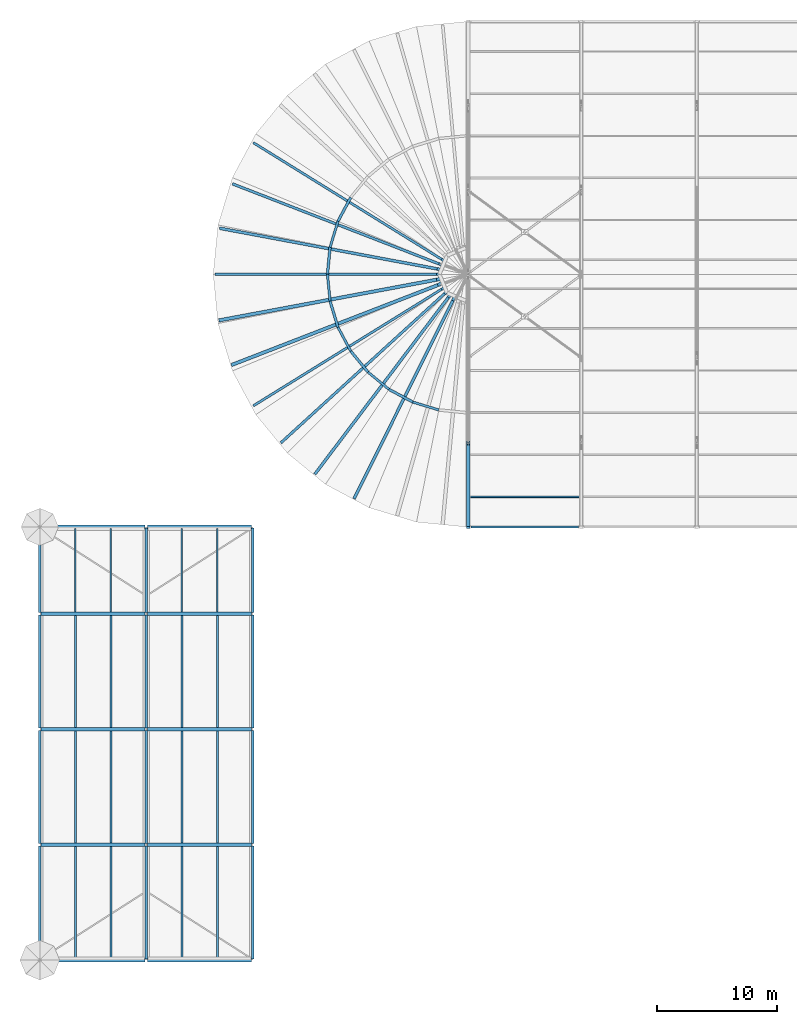
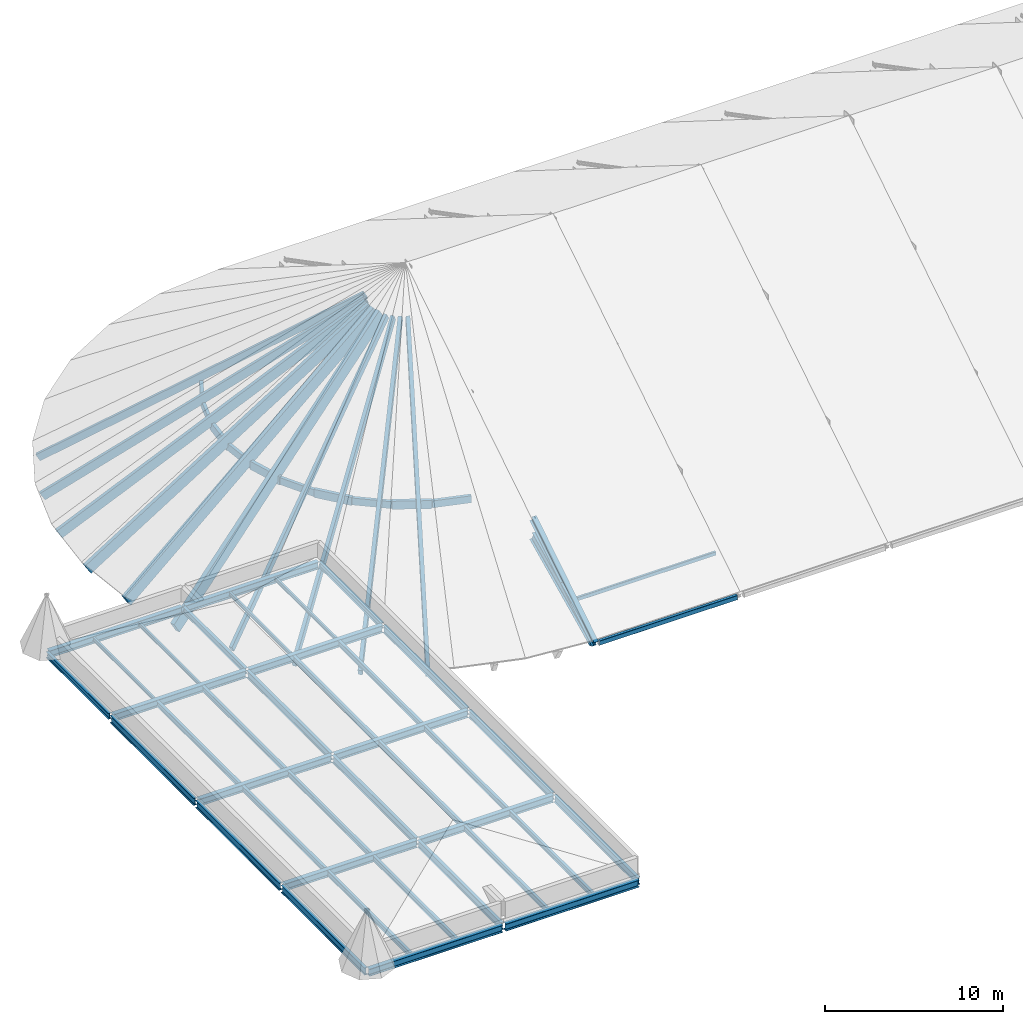
# One storey, part 1 of 66: 50 beams, 12 members.
"""IFC4 building model written with IfcOpenShell, lengths in metres."""

import ifcopenshell
import ifcopenshell.guid

model = None  # the IFC model being written
_history = None  # IfcOwnerHistory: only IFC2X3 demands one
_inside = {}  # id of a spatial element -> (the spatial element, [elements in it])
_under = {}  # id of a project, library or spatial element -> (it, [spatial elements below it])
_declared = {}  # id of a project -> (the project, [libraries it declares])
_typed = {}  # id of a type object -> (the type object, [elements of that type])
_made_of = {}  # id of a material, layer set ... -> (it, [elements and type objects made of it])


def new_model(schema):
    """Start an empty IFC model of exactly this schema.

    Asked for "IFC4X3", IfcOpenShell would pick the latest addendum, in which some entities
    have other attributes; the version numbers below select the first issue.
    IFC2X3 requires an IfcOwnerHistory on every rooted entity: one is made here for all.
    """
    global model, _history
    if schema == "IFC4X3":
        model = ifcopenshell.file(schema_version=(4, 3, 0, 0))
    else:
        model = ifcopenshell.file(schema=schema)
    _inside.clear()
    _under.clear()
    _declared.clear()
    _typed.clear()
    _made_of.clear()
    _history = None
    if model.schema == "IFC2X3":
        org = make("IfcOrganization", Name="unknown")
        user = make(
            "IfcPersonAndOrganization",
            ThePerson=make("IfcPerson", FamilyName="unknown"),
            TheOrganization=org,
        )
        app = make(
            "IfcApplication",
            ApplicationDeveloper=org,
            Version="unknown",
            ApplicationFullName="unknown",
            ApplicationIdentifier="unknown",
        )
        _history = make(
            "IfcOwnerHistory",
            OwningUser=user,
            OwningApplication=app,
            ChangeAction="ADDED",
            CreationDate=0,
        )
    return model


def make(cls, **values):
    """One entity of the class cls with the attributes given. An attribute that is None is left unset."""
    return model.create_entity(
        cls, **{name: value for name, value in values.items() if value is not None}
    )


def rooted(cls, **values):
    """An entity with a GlobalId (a new one), such as an element, a storey or a relation."""
    return make(cls, GlobalId=ifcopenshell.guid.new(), OwnerHistory=_history, **values)


def si_unit(unit_type, name, prefix=None):
    """IfcSIUnit, for example si_unit("LENGTHUNIT", "METRE", prefix="MILLI")."""
    return make("IfcSIUnit", UnitType=unit_type, Prefix=prefix, Name=name)


def assignment(units):
    """IfcUnitAssignment: the units of a project."""
    return None if units is None else make("IfcUnitAssignment", Units=units)


def point(xyz):
    """IfcCartesianPoint."""
    return None if xyz is None else make("IfcCartesianPoint", Coordinates=xyz)


def direction(xyz):
    """IfcDirection."""
    return None if xyz is None else make("IfcDirection", DirectionRatios=xyz)


def frame(location, z_axis=None, x_axis=None):
    """IfcAxis2Placement3D, a coordinate frame: its origin and axes. An axis left out is left unset."""
    return make(
        "IfcAxis2Placement3D",
        Location=point(location),
        Axis=direction(z_axis),
        RefDirection=direction(x_axis),
    )


def frame_2d(location, x_axis=None):
    """IfcAxis2Placement2D, a coordinate frame in the plane: its origin and x axis."""
    return make(
        "IfcAxis2Placement2D", Location=point(location), RefDirection=direction(x_axis)
    )


def origin():
    """The frame at (0, 0, 0) with its axes left unset."""
    return frame((0.0, 0.0, 0.0))


def origin_2d():
    """The frame at (0, 0) in the plane with its x axis left unset."""
    return frame_2d((0.0, 0.0))


def place(relative_to, where):
    """IfcLocalPlacement: puts the frame where relative to a parent placement (None: the world)."""
    return make(
        "IfcLocalPlacement", PlacementRelTo=relative_to, RelativePlacement=where
    )


def context(
    kind, dimensions, precision=None, world=None, true_north=None, identifier=None
):
    """IfcGeometricRepresentationContext, for example the 3D "Model" context."""
    return make(
        "IfcGeometricRepresentationContext",
        ContextIdentifier=identifier,
        ContextType=kind,
        CoordinateSpaceDimension=dimensions,
        Precision=precision,
        WorldCoordinateSystem=world,
        TrueNorth=true_north,
    )


def subcontext(parent, identifier, kind, view, scale=None):
    """IfcGeometricRepresentationSubContext, for example "Body" below "Model"."""
    return make(
        "IfcGeometricRepresentationSubContext",
        ContextIdentifier=identifier,
        ContextType=kind,
        ParentContext=parent,
        TargetScale=scale,
        TargetView=view,
    )


def project(units=None, contexts=None):
    """IfcProject with its units and contexts."""
    return rooted(
        "IfcProject",
        Name="project",
        RepresentationContexts=contexts,
        UnitsInContext=assignment(units),
    )


def spatial(cls, under=None, at=None, **own):
    """A site, building, storey or space (cls), placed at a placement, below another one or the project."""
    s = rooted(cls, ObjectPlacement=at, **own)
    if under is not None:
        _under.setdefault(under.id(), (under, []))[1].append(s)
    return s


def profile(cls, at=None, kind="AREA", **sizes):
    """A parametric profile (cls). Its sizes go by their IFC names, for example OverallWidth=200.0."""
    return make(cls, ProfileType=kind, Position=at, **sizes)


def rectangle(**sizes):
    """IfcRectangleProfileDef."""
    return profile("IfcRectangleProfileDef", **sizes)


def hollow_rectangle(**sizes):
    """IfcRectangleHollowProfileDef."""
    return profile("IfcRectangleHollowProfileDef", **sizes)


def i_section(**sizes):
    """IfcIShapeProfileDef."""
    return profile("IfcIShapeProfileDef", **sizes)


def extrude(swept, where, along, depth):
    """IfcExtrudedAreaSolid: the profile swept, set in the frame where, extruded along a direction by depth."""
    return make(
        "IfcExtrudedAreaSolid",
        SweptArea=swept,
        Position=where,
        ExtrudedDirection=direction(along),
        Depth=depth,
    )


def shape(context_of_items, identifier, shape_type, items):
    """IfcShapeRepresentation: the items that make up one representation, for example the "Body"."""
    return make(
        "IfcShapeRepresentation",
        ContextOfItems=context_of_items,
        RepresentationIdentifier=identifier,
        RepresentationType=shape_type,
        Items=items,
    )


def material(Name=None, Category=None):
    """IfcMaterial."""
    return make("IfcMaterial", Name=Name, Category=Category)


def material_profile(
    of_material, cross_section, Name=None, Category=None, Priority=None
):
    """IfcMaterialProfile: a cross section and its material."""
    return make(
        "IfcMaterialProfile",
        Name=Name,
        Material=of_material,
        Profile=cross_section,
        Priority=Priority,
        Category=Category,
    )


def profile_set(profiles, Name=None, composite=None):
    """IfcMaterialProfileSet."""
    return make(
        "IfcMaterialProfileSet",
        Name=Name,
        MaterialProfiles=profiles,
        CompositeProfile=composite,
    )


def made_of(thing, what):
    """Note that an element or type object is made of a material, layer set ...; save() writes the relation."""
    if what is not None:
        _made_of.setdefault(what.id(), (what, []))[1].append(thing)
    return thing


def type_object(cls, material=None, **own):
    """A type object (cls), such as IfcWallType, which elements share."""
    return made_of(rooted(cls, **own), material)


def element(
    cls,
    number,
    at=None,
    inside=None,
    cuts=None,
    type_object=None,
    material=None,
    context=None,
    identifier="Body",
    shape_type=None,
    held_by="IfcProductDefinitionShape",
    body=None,
    shapes=None,
    **own,
):
    """One element of the class cls, such as IfcWall. Its Tag is "e" and its number.

    at: its placement. inside: the storey or other place that contains it. cuts: it is an
    opening in that element (IfcRelVoidsElement). A single representation is given by context,
    identifier, shape_type and body (its items); several are given by shapes. held_by: the class
    of the entity that holds the representations. save() writes the other relations.
    """
    e = rooted(cls, Tag="e%d" % number, ObjectPlacement=at, **own)
    if body is not None:
        shapes = [shape(context, identifier, shape_type, body)]
    if shapes is not None:
        e.Representation = make(held_by, Representations=shapes)
    if inside is not None:
        _inside.setdefault(inside.id(), (inside, []))[1].append(e)
    if cuts is not None:
        rooted(
            "IfcRelVoidsElement", RelatingBuildingElement=cuts, RelatedOpeningElement=e
        )
    if type_object is not None:
        _typed.setdefault(type_object.id(), (type_object, []))[1].append(e)
    return made_of(e, material)


def aggregate(whole, parts):
    """IfcRelAggregates: a whole, such as a stair, and the parts it consists of."""
    return rooted("IfcRelAggregates", RelatingObject=whole, RelatedObjects=parts)


def save(model, path):
    """Write the relations noted so far, then the file.

    IfcRelAggregates (storeys below a building ...), IfcRelContainedInSpatialStructure (elements
    in a storey), IfcRelDefinesByType, IfcRelAssociatesMaterial and IfcRelDeclares: one each for
    every whole, place, type object, material and project.
    """
    for whole, parts in _under.values():
        aggregate(whole, parts)
    for where, things in _inside.values():
        rooted(
            "IfcRelContainedInSpatialStructure",
            RelatedElements=things,
            RelatingStructure=where,
        )
    for kind, things in _typed.values():
        rooted("IfcRelDefinesByType", RelatedObjects=things, RelatingType=kind)
    for what, things in _made_of.values():
        rooted("IfcRelAssociatesMaterial", RelatedObjects=things, RelatingMaterial=what)
    for by, libraries in _declared.values():
        rooted("IfcRelDeclares", RelatingContext=by, RelatedDefinitions=libraries)
    model.write(path)


model = new_model("IFC4")

# Units and contexts
model_context = context("Model", 3, precision=1e-05, world=origin(), true_north=direction((0.0, 1.0)))
body_context = subcontext(model_context, "Body", "Model", "MODEL_VIEW")
ifc_project = project(units=[si_unit("LENGTHUNIT", "METRE"), si_unit("AREAUNIT", "SQUARE_METRE"), si_unit("VOLUMEUNIT", "CUBIC_METRE"), si_unit("PLANEANGLEUNIT", "RADIAN"), si_unit("MASSUNIT", "GRAM", prefix="KILO")], contexts=[model_context])

# Site, building, storey
site_placement = place(None, origin())
site = spatial("IfcSite", under=ifc_project, at=site_placement, CompositionType="ELEMENT")
building_placement = place(site_placement, origin())
building = spatial("IfcBuilding", under=site, at=building_placement, Name="Yeouljin Market Hall", CompositionType="ELEMENT")
storey_placement = place(building_placement, frame((0.0, 0.0, 23.39990234375)))
storey = spatial("IfcBuildingStorey", under=building, at=storey_placement, Name="RF", CompositionType="ELEMENT", Elevation=23.39990234375)

# Beams
ifc_material_1 = material(Name="Glulam Timber KS F 3021 10S-30B", Category="wood")
ifc_material_profile_1 = material_profile(ifc_material_1, rectangle(XDim=0.199951171875, YDim=0.47998046875, at=origin_2d()), Name="GL-200x480")
ifc_profile_set_1 = profile_set([ifc_material_profile_1], Name="Glulam Timber KS F 3021 10S-30B")
beam_type_1 = type_object("IfcBeamType", Name="Beam_GL-200x480", PredefinedType="BEAM", material=ifc_profile_set_1)
for number, where, z_axis, x_axis, name in (
    (1, (33.156494140625, 45.720947265625, -7.349853515625), (-0.9569305483, 0.290316940137, 0.0), (-0.290316940137, -0.9569305483, 0.0), "Glulam apse collar beam west 02"),
    (2, (29.010986328125, 47.43798828125, -7.349853515625), (-0.772957623803, 0.634457651704, 0.0), (-0.634457651704, -0.772957623803, 0.0), "Glulam apse collar beam west 04"),
):
    element("IfcBeam", number, at=place(storey_placement, frame(where, z_axis=z_axis, x_axis=x_axis)), inside=storey, type_object=beam_type_1, Name=name, PredefinedType="BEAM", context=body_context, shape_type="SweptSolid", body=[
        extrude(rectangle(XDim=0.199951171875, YDim=0.47998046875, at=origin_2d()), origin(), (0.0, 0.0, 1.0), 2.254638671875),
    ])
for number, where, z_axis, x_axis, name in (
    (3, (25.838134765625, 50.61083984375, -7.349853515625), (-0.471391793418, 0.881923906637, 0.0), (-0.881923906637, -0.471391793418, 0.0), "Glulam apse collar beam west 06"),
    (4, (24.12109375, 54.756591796875, -7.349853515625), (-0.098120377116, 0.99517455333, 0.0), (-0.99517455333, -0.098120377116, 0.0), "Glulam apse collar beam west 08"),
    (5, (24.12109375, 59.243408203125, -7.349853515625), (0.290217775488, 0.956960627607, 0.0), (-0.956960627607, 0.290217775488, 0.0), "Glulam apse collar beam west 10"),
):
    element("IfcBeam", number, at=place(storey_placement, frame(where, z_axis=z_axis, x_axis=x_axis)), inside=storey, type_object=beam_type_1, Name=name, PredefinedType="BEAM", context=body_context, shape_type="SweptSolid", body=[
        extrude(rectangle(XDim=0.199951171875, YDim=0.47998046875, at=origin_2d()), origin(), (0.0, 0.0, 1.0), 2.25439453125),
    ])
ifc_material_2 = material(Name="Glulam Timber KS F 3021 10S-30B", Category="wood")
ifc_material_profile_2 = material_profile(ifc_material_2, rectangle(XDim=0.219970703125, YDim=0.56005859375, at=origin_2d()), Name="GL-220x560")
ifc_profile_set_2 = profile_set([ifc_material_profile_2], Name="Glulam Timber KS F 3021 10S-30B")
beam_type_2 = type_object("IfcBeamType", Name="Beam_GL-220x560", PredefinedType="BEAM", material=ifc_profile_set_2)
for number, where, z_axis, x_axis, name in (
    (6, (30.9990234375, 46.37548828125, -7.349853515625), (-0.881944865518, 0.471352579484, 0.0), (-0.471352579484, -0.881944865518, 0.0), "Glulam apse collar beam west 03"),
    (7, (27.268310546875, 48.868408203125, -7.349853515625), (-0.634446057167, 0.772967140663, 0.0), (-0.772967140663, -0.634446057167, 0.0), "Glulam apse collar beam west 05"),
):
    element("IfcBeam", number, at=place(storey_placement, frame(where, z_axis=z_axis, x_axis=x_axis)), inside=storey, type_object=beam_type_2, Name=name, PredefinedType="BEAM", context=body_context, shape_type="SweptSolid", body=[
        extrude(rectangle(XDim=0.219970703125, YDim=0.56005859375, at=origin_2d()), origin(), (0.0, 0.0, 1.0), 2.254150390625),
    ])
for number, where, z_axis, x_axis, name in (
    (8, (24.775390625, 52.59912109375, -7.349853515625), (-0.290217775488, 0.956960627607, 0.0), (-0.956960627607, -0.290217775488, 0.0), "Glulam apse collar beam west 07"),
    (9, (23.89990234375, 57.0, -7.349853515625), (0.098120377116, 0.99517455333, 0.0), (-0.99517455333, 0.098120377116, 0.0), "Glulam apse collar beam west 09"),
    (10, (24.775390625, 61.40087890625, -7.349853515625), (0.471391793418, 0.881923906637, 0.0), (-0.881923906637, 0.471391793418, 0.0), "Glulam apse collar beam west 11"),
):
    element("IfcBeam", number, at=place(storey_placement, frame(where, z_axis=z_axis, x_axis=x_axis)), inside=storey, type_object=beam_type_2, Name=name, PredefinedType="BEAM", context=body_context, shape_type="SweptSolid", body=[
        extrude(rectangle(XDim=0.219970703125, YDim=0.56005859375, at=origin_2d()), origin(), (0.0, 0.0, 1.0), 2.25439453125),
    ])
ifc_material_3 = material(Name="Steel SM355", Category="steel")
ifc_material_profile_3 = material_profile(ifc_material_3, i_section(OverallWidth=0.199951171875, OverallDepth=0.39990234375, WebThickness=0.008056640625, FlangeThickness=0.012939453125, FilletRadius=0.01611328125, at=origin_2d()), Name="H-400x200x8x13")
ifc_profile_set_3 = profile_set([ifc_material_profile_3], Name="Steel SM355")
beam_type_3 = type_object("IfcBeamType", Name="Beam_H-400x200x8x13", PredefinedType="BEAM", material=ifc_profile_set_3)
for number, where, z_axis, x_axis, name in (
    (11, (0.0, 28.89990234375, -0.47998046875), (0.0, 1.0, 0.0), (-1.0, 0.0, 0.0), "Primary beam BM-RF-Y014"),
    (12, (8.85009765625, 28.89990234375, -0.47998046875), (0.0, 1.0, 0.0), (-1.0, 0.0, 0.0), "Primary beam BM-RF-Y018"),
    (13, (17.699951171875, 28.89990234375, -0.47998046875), (0.0, 1.0, 0.0), (-1.0, 0.0, 0.0), "Primary beam BM-RF-Y022"),
):
    element("IfcBeam", number, at=place(storey_placement, frame(where, z_axis=z_axis, x_axis=x_axis)), inside=storey, type_object=beam_type_3, Name=name, PredefinedType="BEAM", context=body_context, shape_type="SweptSolid", body=[
        extrude(i_section(OverallWidth=0.199951171875, OverallDepth=0.39990234375, WebThickness=0.008056640625, FlangeThickness=0.012939453125, FilletRadius=0.01611328125, at=origin_2d()), origin(), (0.0, 0.0, 1.0), 7.0),
    ])
ifc_material_4 = material(Name="Steel SM355", Category="steel")
ifc_material_profile_4 = material_profile(ifc_material_4, i_section(OverallWidth=0.199951171875, OverallDepth=0.5, WebThickness=0.010009765625, FlangeThickness=0.01611328125, FilletRadius=0.02001953125, at=origin_2d()), Name="H-500x200x10x16")
ifc_profile_set_4 = profile_set([ifc_material_profile_4], Name="Steel SM355")
beam_type_4 = type_object("IfcBeamType", Name="Beam_H-500x200x10x16", PredefinedType="BEAM", material=ifc_profile_set_4)
beam_1_placement = place(storey_placement, frame((0.0, 0.10009765625, -0.52978515625), z_axis=(0.0, 1.0, 0.0), x_axis=(-1.0, 0.0, 0.0)))
element("IfcBeam", 14, at=beam_1_placement, inside=storey, type_object=beam_type_4, Name="Primary beam BM-RF-Y011", PredefinedType="BEAM", context=body_context, shape_type="SweptSolid", body=[
    extrude(i_section(OverallWidth=0.199951171875, OverallDepth=0.5, WebThickness=0.010009765625, FlangeThickness=0.01611328125, FilletRadius=0.02001953125, at=origin_2d()), origin(), (0.0, 0.0, 1.0), 9.39990234375),
])
beam_2_placement = place(storey_placement, frame((0.0, 9.699951171875, -0.52978515625), z_axis=(0.0, 1.0, 0.0), x_axis=(-1.0, 0.0, 0.0)))
element("IfcBeam", 15, at=beam_2_placement, inside=storey, type_object=beam_type_4, Name="Primary beam BM-RF-Y012", PredefinedType="BEAM", context=body_context, shape_type="SweptSolid", body=[
    extrude(i_section(OverallWidth=0.199951171875, OverallDepth=0.5, WebThickness=0.010009765625, FlangeThickness=0.01611328125, FilletRadius=0.02001953125, at=origin_2d()), origin(), (0.0, 0.0, 1.0), 9.400146484375),
])
for number, where, z_axis, x_axis, name in (
    (16, (0.0, 19.300048828125, -0.52978515625), (0.0, 1.0, 0.0), (-1.0, 0.0, 0.0), "Primary beam BM-RF-Y013"),
    (17, (8.85009765625, 0.10009765625, -0.52978515625), (0.0, 1.0, 0.0), (-1.0, 0.0, 0.0), "Primary beam BM-RF-Y015"),
):
    element("IfcBeam", number, at=place(storey_placement, frame(where, z_axis=z_axis, x_axis=x_axis)), inside=storey, type_object=beam_type_4, Name=name, PredefinedType="BEAM", context=body_context, shape_type="SweptSolid", body=[
        extrude(i_section(OverallWidth=0.199951171875, OverallDepth=0.5, WebThickness=0.010009765625, FlangeThickness=0.01611328125, FilletRadius=0.02001953125, at=origin_2d()), origin(), (0.0, 0.0, 1.0), 9.39990234375),
    ])
beam_3_placement = place(storey_placement, frame((8.85009765625, 9.699951171875, -0.52978515625), z_axis=(0.0, 1.0, 0.0), x_axis=(-1.0, 0.0, 0.0)))
element("IfcBeam", 18, at=beam_3_placement, inside=storey, type_object=beam_type_4, Name="Primary beam BM-RF-Y016", PredefinedType="BEAM", context=body_context, shape_type="SweptSolid", body=[
    extrude(i_section(OverallWidth=0.199951171875, OverallDepth=0.5, WebThickness=0.010009765625, FlangeThickness=0.01611328125, FilletRadius=0.02001953125, at=origin_2d()), origin(), (0.0, 0.0, 1.0), 9.400146484375),
])
for number, where, z_axis, x_axis, name in (
    (19, (8.85009765625, 19.300048828125, -0.52978515625), (0.0, 1.0, 0.0), (-1.0, 0.0, 0.0), "Primary beam BM-RF-Y017"),
    (20, (17.699951171875, 0.10009765625, -0.52978515625), (0.0, 1.0, 0.0), (-1.0, 0.0, 0.0), "Primary beam BM-RF-Y019"),
):
    element("IfcBeam", number, at=place(storey_placement, frame(where, z_axis=z_axis, x_axis=x_axis)), inside=storey, type_object=beam_type_4, Name=name, PredefinedType="BEAM", context=body_context, shape_type="SweptSolid", body=[
        extrude(i_section(OverallWidth=0.199951171875, OverallDepth=0.5, WebThickness=0.010009765625, FlangeThickness=0.01611328125, FilletRadius=0.02001953125, at=origin_2d()), origin(), (0.0, 0.0, 1.0), 9.39990234375),
    ])
beam_4_placement = place(storey_placement, frame((17.699951171875, 9.699951171875, -0.52978515625), z_axis=(0.0, 1.0, 0.0), x_axis=(-1.0, 0.0, 0.0)))
element("IfcBeam", 21, at=beam_4_placement, inside=storey, type_object=beam_type_4, Name="Primary beam BM-RF-Y020", PredefinedType="BEAM", context=body_context, shape_type="SweptSolid", body=[
    extrude(i_section(OverallWidth=0.199951171875, OverallDepth=0.5, WebThickness=0.010009765625, FlangeThickness=0.01611328125, FilletRadius=0.02001953125, at=origin_2d()), origin(), (0.0, 0.0, 1.0), 9.400146484375),
])
beam_5_placement = place(storey_placement, frame((17.699951171875, 19.300048828125, -0.52978515625), z_axis=(0.0, 1.0, 0.0), x_axis=(-1.0, 0.0, 0.0)))
element("IfcBeam", 22, at=beam_5_placement, inside=storey, type_object=beam_type_4, Name="Primary beam BM-RF-Y021", PredefinedType="BEAM", context=body_context, shape_type="SweptSolid", body=[
    extrude(i_section(OverallWidth=0.199951171875, OverallDepth=0.5, WebThickness=0.010009765625, FlangeThickness=0.01611328125, FilletRadius=0.02001953125, at=origin_2d()), origin(), (0.0, 0.0, 1.0), 9.39990234375),
])
ifc_material_5 = material(Name="Steel SM355", Category="steel")
ifc_material_profile_5 = material_profile(ifc_material_5, hollow_rectangle(XDim=0.199951171875, YDim=0.300048828125, WallThickness=0.009033203125, InnerFilletRadius=0.009033203125, OuterFilletRadius=0.01611328125, at=origin_2d()), Name="RHS-300x200x9")
ifc_profile_set_5 = profile_set([ifc_material_profile_5], Name="Steel SM355")
beam_type_5 = type_object("IfcBeamType", Name="Beam_RHS-300x200x9", PredefinedType="BEAM", material=ifc_profile_set_5)
beam_6_placement = place(storey_placement, frame((35.81591796875, 36.0, -12.27978515625), z_axis=(1.0, 0.0, 0.0), x_axis=(0.0, 1.0, 0.0)))
element("IfcBeam", 23, at=beam_6_placement, inside=storey, type_object=beam_type_5, Name="Hall eaves girder S01", PredefinedType="BEAM", context=body_context, shape_type="SweptSolid", body=[
    extrude(hollow_rectangle(XDim=0.199951171875, YDim=0.300048828125, WallThickness=0.009033203125, InnerFilletRadius=0.009033203125, OuterFilletRadius=0.01611328125, at=origin_2d()), origin(), (0.0, 0.0, 1.0), 8.968017578125),
])

# Member
ifc_material_6 = material(Name="Steel SM355", Category="steel")
ifc_material_profile_6 = material_profile(ifc_material_6, i_section(OverallWidth=0.300048828125, OverallDepth=0.488037109375, WebThickness=0.010986328125, FlangeThickness=0.01806640625, FilletRadius=0.02197265625, at=origin_2d()), Name="H-488x300x11x18")
ifc_profile_set_6 = profile_set([ifc_material_profile_6], Name="Steel SM355")
member_type_1 = type_object("IfcMemberType", Name="Chord_H-488x300x11x18", PredefinedType="CHORD", material=ifc_profile_set_6)
member_1_placement = place(storey_placement, frame((35.60009765625, 36.0, -12.2998046875), z_axis=(0.0, 0.846641870869, 0.53216307885), x_axis=(-1.0, 0.0, 0.0)))
element("IfcMember", 24, at=member_1_placement, inside=storey, type_object=member_type_1, Name="Truss AT-01 top chord 1", PredefinedType="CHORD", context=body_context, shape_type="SweptSolid", body=[
    extrude(i_section(OverallWidth=0.300048828125, OverallDepth=0.488037109375, WebThickness=0.010986328125, FlangeThickness=0.01806640625, FilletRadius=0.02197265625, at=origin_2d()), origin(), (0.0, 0.0, 1.0), 8.26806640625),
])

# Beams
ifc_material_7 = material(Name="Steel SM355", Category="steel")
ifc_material_profile_7 = material_profile(ifc_material_7, i_section(OverallWidth=0.300048828125, OverallDepth=0.488037109375, WebThickness=0.010986328125, FlangeThickness=0.01806640625, FilletRadius=0.02197265625, at=origin_2d()), Name="H-488x300x11x18")
ifc_profile_set_7 = profile_set([ifc_material_profile_7], Name="Steel SM355")
beam_type_6 = type_object("IfcBeamType", Name="Girder_H-488x300x11x18", PredefinedType="USERDEFINED", material=ifc_profile_set_7)
beam_7_placement = place(storey_placement, frame((0.10009765625, 0.0, -0.52392578125), z_axis=(1.0, 0.0, 0.0), x_axis=(0.0, 1.0, 0.0)))
element("IfcBeam", 25, at=beam_7_placement, inside=storey, type_object=beam_type_6, Name="Primary girder GRD-RF-X001", ObjectType="GIRDER", PredefinedType="USERDEFINED", context=body_context, shape_type="SweptSolid", body=[
    extrude(i_section(OverallWidth=0.300048828125, OverallDepth=0.488037109375, WebThickness=0.010986328125, FlangeThickness=0.01806640625, FilletRadius=0.02197265625, at=origin_2d()), origin(), (0.0, 0.0, 1.0), 8.64990234375),
])
beam_8_placement = place(storey_placement, frame((8.949951171875, 0.0, -0.52392578125), z_axis=(1.0, 0.0, 0.0), x_axis=(0.0, 1.0, 0.0)))
element("IfcBeam", 26, at=beam_8_placement, inside=storey, type_object=beam_type_6, Name="Primary girder GRD-RF-X002", ObjectType="GIRDER", PredefinedType="USERDEFINED", context=body_context, shape_type="SweptSolid", body=[
    extrude(i_section(OverallWidth=0.300048828125, OverallDepth=0.488037109375, WebThickness=0.010986328125, FlangeThickness=0.01806640625, FilletRadius=0.02197265625, at=origin_2d()), origin(), (0.0, 0.0, 1.0), 8.650146484375),
])
beam_9_placement = place(storey_placement, frame((0.10009765625, 9.60009765625, -0.52392578125), z_axis=(1.0, 0.0, 0.0), x_axis=(0.0, 1.0, 0.0)))
element("IfcBeam", 27, at=beam_9_placement, inside=storey, type_object=beam_type_6, Name="Primary girder GRD-RF-X003", ObjectType="GIRDER", PredefinedType="USERDEFINED", context=body_context, shape_type="SweptSolid", body=[
    extrude(i_section(OverallWidth=0.300048828125, OverallDepth=0.488037109375, WebThickness=0.010986328125, FlangeThickness=0.01806640625, FilletRadius=0.02197265625, at=origin_2d()), origin(), (0.0, 0.0, 1.0), 8.64990234375),
])
beam_10_placement = place(storey_placement, frame((8.949951171875, 9.60009765625, -0.52392578125), z_axis=(1.0, 0.0, 0.0), x_axis=(0.0, 1.0, 0.0)))
element("IfcBeam", 28, at=beam_10_placement, inside=storey, type_object=beam_type_6, Name="Primary girder GRD-RF-X004", ObjectType="GIRDER", PredefinedType="USERDEFINED", context=body_context, shape_type="SweptSolid", body=[
    extrude(i_section(OverallWidth=0.300048828125, OverallDepth=0.488037109375, WebThickness=0.010986328125, FlangeThickness=0.01806640625, FilletRadius=0.02197265625, at=origin_2d()), origin(), (0.0, 0.0, 1.0), 8.650146484375),
])
beam_11_placement = place(storey_placement, frame((0.10009765625, 19.199951171875, -0.52392578125), z_axis=(1.0, 0.0, 0.0), x_axis=(0.0, 1.0, 0.0)))
element("IfcBeam", 29, at=beam_11_placement, inside=storey, type_object=beam_type_6, Name="Primary girder GRD-RF-X005", ObjectType="GIRDER", PredefinedType="USERDEFINED", context=body_context, shape_type="SweptSolid", body=[
    extrude(i_section(OverallWidth=0.300048828125, OverallDepth=0.488037109375, WebThickness=0.010986328125, FlangeThickness=0.01806640625, FilletRadius=0.02197265625, at=origin_2d()), origin(), (0.0, 0.0, 1.0), 8.64990234375),
])
beam_12_placement = place(storey_placement, frame((8.949951171875, 19.199951171875, -0.52392578125), z_axis=(1.0, 0.0, 0.0), x_axis=(0.0, 1.0, 0.0)))
element("IfcBeam", 30, at=beam_12_placement, inside=storey, type_object=beam_type_6, Name="Primary girder GRD-RF-X006", ObjectType="GIRDER", PredefinedType="USERDEFINED", context=body_context, shape_type="SweptSolid", body=[
    extrude(i_section(OverallWidth=0.300048828125, OverallDepth=0.488037109375, WebThickness=0.010986328125, FlangeThickness=0.01806640625, FilletRadius=0.02197265625, at=origin_2d()), origin(), (0.0, 0.0, 1.0), 8.650146484375),
])
beam_13_placement = place(storey_placement, frame((0.10009765625, 28.800048828125, -0.52392578125), z_axis=(1.0, 0.0, 0.0), x_axis=(0.0, 1.0, 0.0)))
element("IfcBeam", 31, at=beam_13_placement, inside=storey, type_object=beam_type_6, Name="Primary girder GRD-RF-X007", ObjectType="GIRDER", PredefinedType="USERDEFINED", context=body_context, shape_type="SweptSolid", body=[
    extrude(i_section(OverallWidth=0.300048828125, OverallDepth=0.488037109375, WebThickness=0.010986328125, FlangeThickness=0.01806640625, FilletRadius=0.02197265625, at=origin_2d()), origin(), (0.0, 0.0, 1.0), 8.64990234375),
])
beam_14_placement = place(storey_placement, frame((8.949951171875, 28.800048828125, -0.52392578125), z_axis=(1.0, 0.0, 0.0), x_axis=(0.0, 1.0, 0.0)))
element("IfcBeam", 32, at=beam_14_placement, inside=storey, type_object=beam_type_6, Name="Primary girder GRD-RF-X008", ObjectType="GIRDER", PredefinedType="USERDEFINED", context=body_context, shape_type="SweptSolid", body=[
    extrude(i_section(OverallWidth=0.300048828125, OverallDepth=0.488037109375, WebThickness=0.010986328125, FlangeThickness=0.01806640625, FilletRadius=0.02197265625, at=origin_2d()), origin(), (0.0, 0.0, 1.0), 8.650146484375),
])
beam_15_placement = place(storey_placement, frame((0.10009765625, 36.0, -0.52392578125), z_axis=(1.0, 0.0, 0.0), x_axis=(0.0, 1.0, 0.0)))
element("IfcBeam", 33, at=beam_15_placement, inside=storey, type_object=beam_type_6, Name="Primary girder GRD-RF-X009", ObjectType="GIRDER", PredefinedType="USERDEFINED", context=body_context, shape_type="SweptSolid", body=[
    extrude(i_section(OverallWidth=0.300048828125, OverallDepth=0.488037109375, WebThickness=0.010986328125, FlangeThickness=0.01806640625, FilletRadius=0.02197265625, at=origin_2d()), origin(), (0.0, 0.0, 1.0), 8.64990234375),
])
beam_16_placement = place(storey_placement, frame((8.949951171875, 36.0, -0.52392578125), z_axis=(1.0, 0.0, 0.0), x_axis=(0.0, 1.0, 0.0)))
element("IfcBeam", 34, at=beam_16_placement, inside=storey, type_object=beam_type_6, Name="Primary girder GRD-RF-X010", ObjectType="GIRDER", PredefinedType="USERDEFINED", context=body_context, shape_type="SweptSolid", body=[
    extrude(i_section(OverallWidth=0.300048828125, OverallDepth=0.488037109375, WebThickness=0.010986328125, FlangeThickness=0.01806640625, FilletRadius=0.02197265625, at=origin_2d()), origin(), (0.0, 0.0, 1.0), 8.650146484375),
])
ifc_material_8 = material(Name="Steel SM355", Category="steel")
ifc_material_profile_8 = material_profile(ifc_material_8, i_section(OverallWidth=0.300048828125, OverallDepth=0.699951171875, WebThickness=0.012939453125, FlangeThickness=0.02392578125, FilletRadius=0.02587890625, at=origin_2d()), Name="H-700x300x13x24")
ifc_profile_set_8 = profile_set([ifc_material_profile_8], Name="Steel SM355")
beam_type_7 = type_object("IfcBeamType", Name="Girder_H-700x300x13x24", PredefinedType="USERDEFINED", material=ifc_profile_set_8)
beam_17_placement = place(storey_placement, frame((35.60009765625, 36.199951171875, -12.2998046875), z_axis=(0.0, 0.903192091176, 0.429236585623), x_axis=(-1.0, 0.0, 0.0)))
element("IfcBeam", 35, at=beam_17_placement, inside=storey, type_object=beam_type_7, Name="Truss AT-01 arch rib 1", ObjectType="GIRDER", PredefinedType="USERDEFINED", context=body_context, shape_type="SweptSolid", body=[
    extrude(i_section(OverallWidth=0.300048828125, OverallDepth=0.699951171875, WebThickness=0.012939453125, FlangeThickness=0.02392578125, FilletRadius=0.02587890625, at=origin_2d()), origin(), (0.0, 0.0, 1.0), 7.5068359375),
])
ifc_material_9 = material(Name="Steel SM355", Category="steel")
ifc_material_profile_9 = material_profile(ifc_material_9, i_section(OverallWidth=0.125, OverallDepth=0.25, WebThickness=0.006103515625, FlangeThickness=0.009033203125, FilletRadius=0.011962890625, at=origin_2d()), Name="H-250x125x6x9")
ifc_profile_set_9 = profile_set([ifc_material_profile_9], Name="Steel SM355")
beam_type_8 = type_object("IfcBeamType", Name="Joist_H-250x125x6x9", PredefinedType="JOIST", material=ifc_profile_set_9)
for number, where, z_axis, x_axis, name in (
    (36, (2.949951171875, 28.947021484375, -0.40478515625), (0.0, 1.0, 0.0), (-1.0, 0.0, 0.0), "Secondary floor joist RF-007"),
    (37, (5.89990234375, 28.947021484375, -0.40478515625), (0.0, 1.0, 0.0), (-1.0, 0.0, 0.0), "Secondary floor joist RF-008"),
    (38, (11.800048828125, 28.947021484375, -0.40478515625), (0.0, 1.0, 0.0), (-1.0, 0.0, 0.0), "Secondary floor joist RF-015"),
    (39, (14.75, 28.947021484375, -0.40478515625), (0.0, 1.0, 0.0), (-1.0, 0.0, 0.0), "Secondary floor joist RF-016"),
):
    element("IfcBeam", number, at=place(storey_placement, frame(where, z_axis=z_axis, x_axis=x_axis)), inside=storey, type_object=beam_type_8, Name=name, PredefinedType="JOIST", context=body_context, shape_type="SweptSolid", body=[
        extrude(i_section(OverallWidth=0.125, OverallDepth=0.25, WebThickness=0.006103515625, FlangeThickness=0.009033203125, FilletRadius=0.011962890625, at=origin_2d()), origin(), (0.0, 0.0, 1.0), 6.906005859375),
    ])
ifc_material_10 = material(Name="Steel SM355", Category="steel")
ifc_material_profile_10 = material_profile(ifc_material_10, i_section(OverallWidth=0.175048828125, OverallDepth=0.35009765625, WebThickness=0.007080078125, FlangeThickness=0.010986328125, FilletRadius=0.013916015625, at=origin_2d()), Name="H-350x175x7x11")
ifc_profile_set_10 = profile_set([ifc_material_profile_10], Name="Steel SM355")
beam_type_9 = type_object("IfcBeamType", Name="Joist_H-350x175x7x11", PredefinedType="JOIST", material=ifc_profile_set_10)
for number, where, z_axis, x_axis, name in (
    (40, (2.949951171875, 0.14697265625, -0.454833984375), (0.0, 1.0, 0.0), (-1.0, 0.0, 0.0), "Secondary floor joist RF-001"),
    (41, (5.89990234375, 0.14697265625, -0.454833984375), (0.0, 1.0, 0.0), (-1.0, 0.0, 0.0), "Secondary floor joist RF-002"),
    (42, (2.949951171875, 9.7470703125, -0.454833984375), (0.0, 1.0, 0.0), (-1.0, 0.0, 0.0), "Secondary floor joist RF-003"),
    (43, (5.89990234375, 9.7470703125, -0.454833984375), (0.0, 1.0, 0.0), (-1.0, 0.0, 0.0), "Secondary floor joist RF-004"),
):
    element("IfcBeam", number, at=place(storey_placement, frame(where, z_axis=z_axis, x_axis=x_axis)), inside=storey, type_object=beam_type_9, Name=name, PredefinedType="JOIST", context=body_context, shape_type="SweptSolid", body=[
        extrude(i_section(OverallWidth=0.175048828125, OverallDepth=0.35009765625, WebThickness=0.007080078125, FlangeThickness=0.010986328125, FilletRadius=0.013916015625, at=origin_2d()), origin(), (0.0, 0.0, 1.0), 9.305908203125),
    ])
for number, where, z_axis, x_axis, name in (
    (44, (2.949951171875, 19.346923828125, -0.454833984375), (0.0, 1.0, 0.0), (-1.0, 0.0, 0.0), "Secondary floor joist RF-005"),
    (45, (5.89990234375, 19.346923828125, -0.454833984375), (0.0, 1.0, 0.0), (-1.0, 0.0, 0.0), "Secondary floor joist RF-006"),
):
    element("IfcBeam", number, at=place(storey_placement, frame(where, z_axis=z_axis, x_axis=x_axis)), inside=storey, type_object=beam_type_9, Name=name, PredefinedType="JOIST", context=body_context, shape_type="SweptSolid", body=[
        extrude(i_section(OverallWidth=0.175048828125, OverallDepth=0.35009765625, WebThickness=0.007080078125, FlangeThickness=0.010986328125, FilletRadius=0.013916015625, at=origin_2d()), origin(), (0.0, 0.0, 1.0), 9.30615234375),
    ])
for number, where, z_axis, x_axis, name in (
    (46, (11.800048828125, 0.14697265625, -0.454833984375), (0.0, 1.0, 0.0), (-1.0, 0.0, 0.0), "Secondary floor joist RF-009"),
    (47, (14.75, 0.14697265625, -0.454833984375), (0.0, 1.0, 0.0), (-1.0, 0.0, 0.0), "Secondary floor joist RF-010"),
    (48, (11.800048828125, 9.7470703125, -0.454833984375), (0.0, 1.0, 0.0), (-1.0, 0.0, 0.0), "Secondary floor joist RF-011"),
    (49, (14.75, 9.7470703125, -0.454833984375), (0.0, 1.0, 0.0), (-1.0, 0.0, 0.0), "Secondary floor joist RF-012"),
):
    element("IfcBeam", number, at=place(storey_placement, frame(where, z_axis=z_axis, x_axis=x_axis)), inside=storey, type_object=beam_type_9, Name=name, PredefinedType="JOIST", context=body_context, shape_type="SweptSolid", body=[
        extrude(i_section(OverallWidth=0.175048828125, OverallDepth=0.35009765625, WebThickness=0.007080078125, FlangeThickness=0.010986328125, FilletRadius=0.013916015625, at=origin_2d()), origin(), (0.0, 0.0, 1.0), 9.305908203125),
    ])
for number, where, z_axis, x_axis, name in (
    (50, (11.800048828125, 19.346923828125, -0.454833984375), (0.0, 1.0, 0.0), (-1.0, 0.0, 0.0), "Secondary floor joist RF-013"),
    (51, (14.75, 19.346923828125, -0.454833984375), (0.0, 1.0, 0.0), (-1.0, 0.0, 0.0), "Secondary floor joist RF-014"),
):
    element("IfcBeam", number, at=place(storey_placement, frame(where, z_axis=z_axis, x_axis=x_axis)), inside=storey, type_object=beam_type_9, Name=name, PredefinedType="JOIST", context=body_context, shape_type="SweptSolid", body=[
        extrude(i_section(OverallWidth=0.175048828125, OverallDepth=0.35009765625, WebThickness=0.007080078125, FlangeThickness=0.010986328125, FilletRadius=0.013916015625, at=origin_2d()), origin(), (0.0, 0.0, 1.0), 9.30615234375),
    ])

# Members
ifc_material_11 = material(Name="Steel SM355", Category="steel")
ifc_material_profile_11 = material_profile(ifc_material_11, hollow_rectangle(XDim=0.14990234375, YDim=0.25, WallThickness=0.008056640625, InnerFilletRadius=0.008056640625, OuterFilletRadius=0.01611328125, at=origin_2d()), Name="RHS-250x150x8")
ifc_profile_set_11 = profile_set([ifc_material_profile_11], Name="Steel SM355")
member_type_2 = type_object("IfcMemberType", Name="Purlin_RHS-250x150x8", PredefinedType="PURLIN", material=ifc_profile_set_11)
member_2_placement = place(storey_placement, frame((35.76611328125, 38.5, -10.80859375), z_axis=(1.0, 0.0, 0.0), x_axis=(0.0, 1.0, 0.0)))
element("IfcMember", 52, at=member_2_placement, inside=storey, type_object=member_type_2, Name="Nave roof purlin 001", PredefinedType="PURLIN", context=body_context, shape_type="SweptSolid", body=[
    extrude(hollow_rectangle(XDim=0.14990234375, YDim=0.25, WallThickness=0.008056640625, InnerFilletRadius=0.008056640625, OuterFilletRadius=0.01611328125, at=origin_2d()), origin(), (0.0, 0.0, 1.0), 9.06787109375),
])
ifc_material_12 = material(Name="Glulam Timber KS F 3021 10S-30B", Category="wood")
ifc_material_profile_12 = material_profile(ifc_material_12, rectangle(XDim=0.199951171875, YDim=0.47998046875, at=origin_2d()), Name="GL-200x480")
ifc_profile_set_12 = profile_set([ifc_material_profile_12], Name="Glulam Timber KS F 3021 10S-30B")
member_type_3 = type_object("IfcMemberType", Name="Rafter_GL-200x480", PredefinedType="RAFTER", material=ifc_profile_set_12)
for number, where, z_axis, x_axis, name in (
    (53, (17.843017578125, 46.129150390625, -12.579833984375), (0.720632212246, 0.446191875852, 0.530661874076), (-0.526428154998, 0.85021961729, 0.0), "Fanned glulam apse rafter west 06"),
    (54, (17.843017578125, 67.870849609375, -12.579833984375), (0.720632212246, -0.446191875852, 0.530661874076), (0.526428154998, 0.85021961729, 0.0), "Fanned glulam apse rafter west 12"),
):
    element("IfcMember", number, at=place(storey_placement, frame(where, z_axis=z_axis, x_axis=x_axis)), inside=storey, type_object=member_type_3, Name=name, PredefinedType="RAFTER", context=body_context, shape_type="SweptSolid", body=[
        extrude(rectangle(XDim=0.199951171875, YDim=0.47998046875, at=origin_2d()), origin(), (0.0, 0.0, 1.0), 21.708740234375),
    ])
ifc_material_13 = material(Name="Glulam Timber KS F 3021 10S-30B", Category="wood")
ifc_material_profile_13 = material_profile(ifc_material_13, rectangle(XDim=0.219970703125, YDim=0.56005859375, at=origin_2d()), Name="GL-220x560")
ifc_profile_set_13 = profile_set([ifc_material_profile_13], Name="Glulam Timber KS F 3021 10S-30B")
member_type_4 = type_object("IfcMemberType", Name="Rafter_GL-220x560", PredefinedType="RAFTER", material=ifc_profile_set_13)
member_3_placement = place(storey_placement, frame((20.139404296875, 43.088134765625, -12.579833984375), z_axis=(0.626375700335, 0.571011002546, 0.530659888253), x_axis=(-0.673691843996, 0.739012381042, 0.0)))
element("IfcMember", 55, at=member_3_placement, inside=storey, type_object=member_type_4, Name="Fanned glulam apse rafter west 05", PredefinedType="RAFTER", context=body_context, shape_type="SweptSolid", body=[
    extrude(rectangle(XDim=0.219970703125, YDim=0.56005859375, at=origin_2d()), origin(), (0.0, 0.0, 1.0), 21.708740234375),
])
member_4_placement = place(storey_placement, frame((16.144287109375, 64.459716796875, -12.579833984375), z_axis=(0.790350649487, -0.306185246918, 0.530656617244), x_axis=(0.361243486177, 0.932471524335, 0.0)))
element("IfcMember", 56, at=member_4_placement, inside=storey, type_object=member_type_4, Name="Fanned glulam apse rafter west 11", PredefinedType="RAFTER", context=body_context, shape_type="SweptSolid", body=[
    extrude(rectangle(XDim=0.219970703125, YDim=0.56005859375, at=origin_2d()), origin(), (0.0, 0.0, 1.0), 21.708984375),
])
ifc_material_14 = material(Name="Glulam Timber KS F 3021 10S-30B", Category="wood")
ifc_material_profile_14 = material_profile(ifc_material_14, rectangle(XDim=0.239990234375, YDim=0.639892578125, at=origin_2d()), Name="GL-240x640")
ifc_profile_set_14 = profile_set([ifc_material_profile_14], Name="Glulam Timber KS F 3021 10S-30B")
member_type_5 = type_object("IfcMemberType", Name="Rafter_GL-240x640", PredefinedType="RAFTER", material=ifc_profile_set_14)
member_5_placement = place(storey_placement, frame((22.95556640625, 40.52099609375, -12.579833984375), z_axis=(0.510786961977, 0.676385896676, 0.530658834141), x_axis=(-0.798014933418, 0.602637673931, 0.0)))
element("IfcMember", 57, at=member_5_placement, inside=storey, type_object=member_type_5, Name="Fanned glulam apse rafter west 04", PredefinedType="RAFTER", context=body_context, shape_type="SweptSolid", body=[
    extrude(rectangle(XDim=0.239990234375, YDim=0.639892578125, at=origin_2d()), origin(), (0.0, 0.0, 1.0), 21.708984375),
])
member_6_placement = place(storey_placement, frame((15.1015625, 60.79443359375, -12.579833984375), z_axis=(0.833150691418, -0.155748335319, 0.530662210295), x_axis=(0.183755764294, 0.982971931994, 0.0)))
element("IfcMember", 58, at=member_6_placement, inside=storey, type_object=member_type_5, Name="Fanned glulam apse rafter west 10", PredefinedType="RAFTER", context=body_context, shape_type="SweptSolid", body=[
    extrude(rectangle(XDim=0.239990234375, YDim=0.639892578125, at=origin_2d()), origin(), (0.0, 0.0, 1.0), 21.708740234375),
])
ifc_material_15 = material(Name="Glulam Timber KS F 3021 10S-30B", Category="wood")
ifc_material_profile_15 = material_profile(ifc_material_15, rectangle(XDim=0.239990234375, YDim=0.760009765625, at=origin_2d()), Name="GL-240x760")
ifc_profile_set_15 = profile_set([ifc_material_profile_15], Name="Glulam Timber KS F 3021 10S-30B")
member_type_6 = type_object("IfcMemberType", Name="Rafter_GL-240x760", PredefinedType="RAFTER", material=ifc_profile_set_15)
for number, where, z_axis, x_axis, name in (
    (59, (26.195556640625, 38.514892578125, -12.579833984375), (0.377804205833, 0.758723603814, 0.530662298519), (-0.89516105907, 0.445742838781, 0.0), "Fanned glulam apse rafter west 03"),
    (60, (14.75, 57.0, -12.579833984375), (0.847582312221, 0.0, 0.530663946401), (0.0, 1.0, 0.0), "Fanned glulam apse rafter west 09"),
):
    element("IfcMember", number, at=place(storey_placement, frame(where, z_axis=z_axis, x_axis=x_axis)), inside=storey, type_object=member_type_6, Name=name, PredefinedType="RAFTER", context=body_context, shape_type="SweptSolid", body=[
        extrude(rectangle(XDim=0.239990234375, YDim=0.760009765625, at=origin_2d()), origin(), (0.0, 0.0, 1.0), 21.708740234375),
    ])
ifc_material_16 = material(Name="Glulam Timber KS F 3021 10S-30B", Category="wood")
ifc_material_profile_16 = material_profile(ifc_material_16, rectangle(XDim=0.280029296875, YDim=0.840087890625, at=origin_2d()), Name="GL-280x840")
ifc_profile_set_16 = profile_set([ifc_material_profile_16], Name="Glulam Timber KS F 3021 10S-30B")
member_type_7 = type_object("IfcMemberType", Name="Rafter_GL-280x840", PredefinedType="RAFTER", material=ifc_profile_set_16)
member_7_placement = place(storey_placement, frame((15.1015625, 53.20556640625, -12.579833984375), z_axis=(0.833150691418, 0.155748335319, 0.530662210295), x_axis=(-0.183755764294, 0.982971931994, 0.0)))
element("IfcMember", 61, at=member_7_placement, inside=storey, type_object=member_type_7, Name="Fanned glulam apse rafter west 08", PredefinedType="RAFTER", context=body_context, shape_type="SweptSolid", body=[
    extrude(rectangle(XDim=0.280029296875, YDim=0.840087890625, at=origin_2d()), origin(), (0.0, 0.0, 1.0), 21.708740234375),
])
ifc_material_17 = material(Name="Glulam Timber KS F 3021 10S-30B", Category="wood")
ifc_material_profile_17 = material_profile(ifc_material_17, rectangle(XDim=0.280029296875, YDim=0.919921875, at=origin_2d()), Name="GL-280x920")
ifc_profile_set_17 = profile_set([ifc_material_profile_17], Name="Glulam Timber KS F 3021 10S-30B")
member_type_8 = type_object("IfcMemberType", Name="Rafter_GL-280x920", PredefinedType="RAFTER", material=ifc_profile_set_17)
member_8_placement = place(storey_placement, frame((16.144287109375, 49.540283203125, -12.579833984375), z_axis=(0.790350649487, 0.306185246918, 0.530656617244), x_axis=(-0.361243486177, 0.932471524335, 0.0)))
element("IfcMember", 62, at=member_8_placement, inside=storey, type_object=member_type_8, Name="Fanned glulam apse rafter west 07", PredefinedType="RAFTER", context=body_context, shape_type="SweptSolid", body=[
    extrude(rectangle(XDim=0.280029296875, YDim=0.919921875, at=origin_2d()), origin(), (0.0, 0.0, 1.0), 21.708984375),
])

save(model, "model.ifc")
